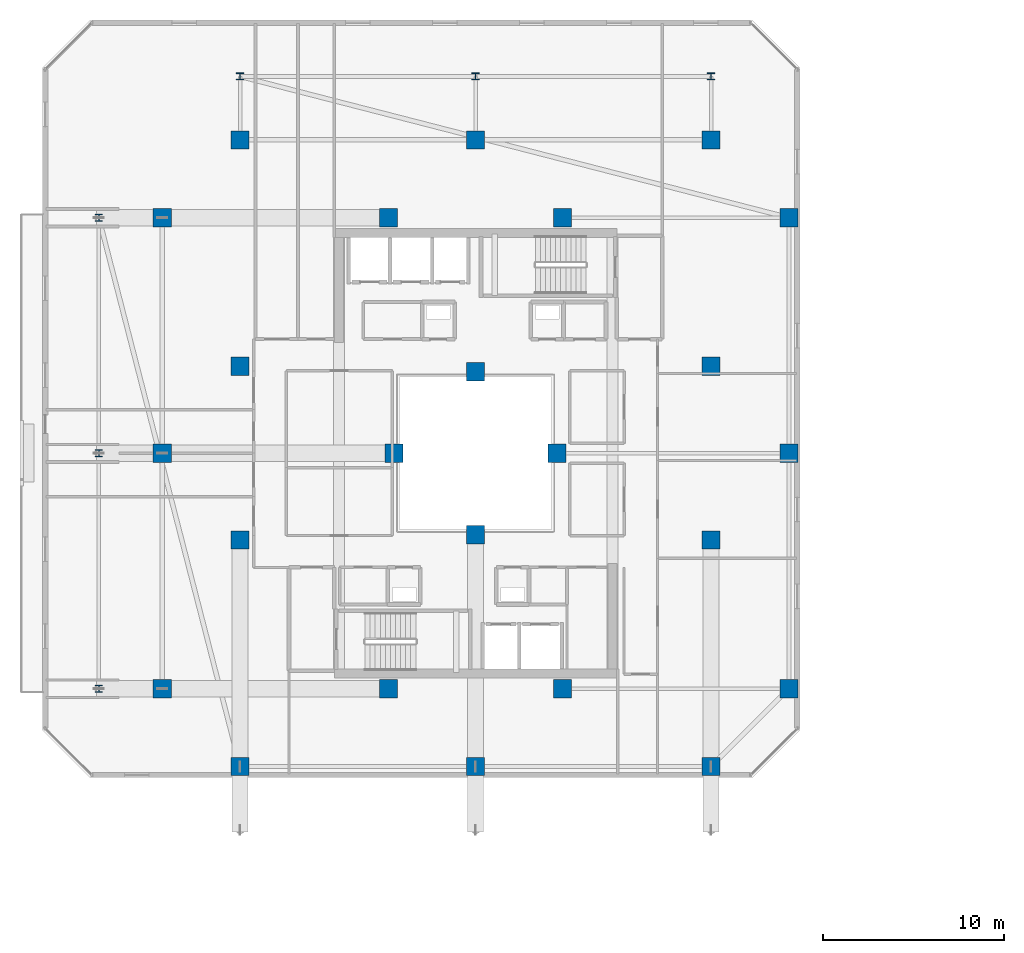
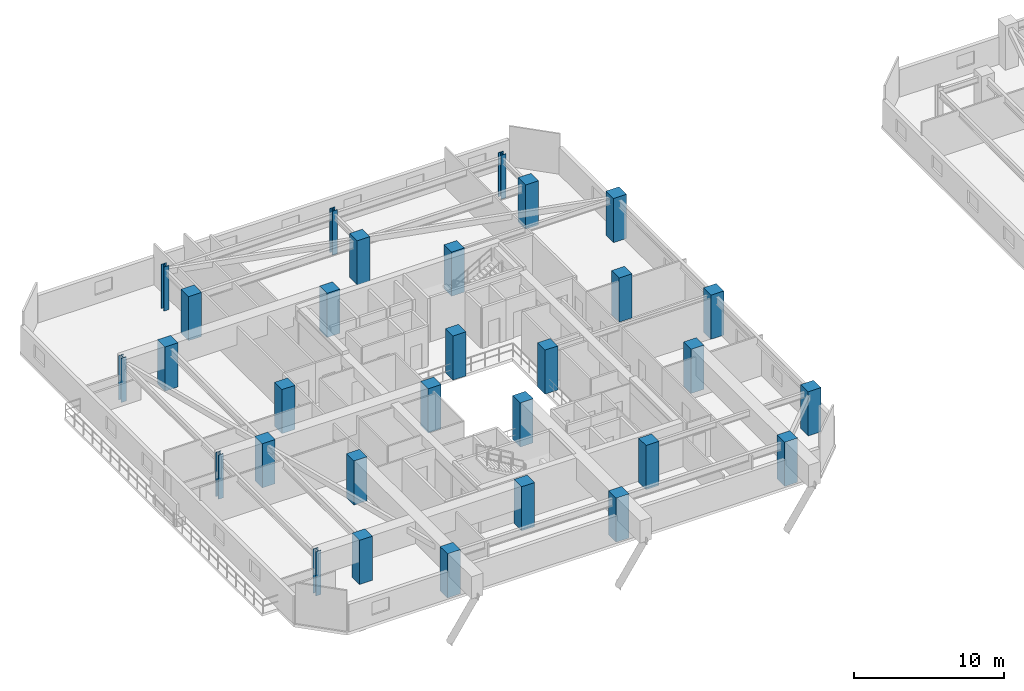
# One storey, part 1 of 35: 30 columns.
"""IFC4 building model written with IfcOpenShell, lengths in metres."""

from ifc_helpers import new_model, si_unit, direction, frame, origin, origin_2d, place, context, subcontext, project, spatial, rectangle, i_section, extrude, material, material_profile, profile_set, type_object, element, save


model = new_model("IFC4")

# Units and contexts
model_context = context("Model", 3, precision=1e-05, world=origin(), true_north=direction((0.0, 1.0)))
body_context = subcontext(model_context, "Body", "Model", "MODEL_VIEW")
ifc_project = project(units=[si_unit("LENGTHUNIT", "METRE"), si_unit("AREAUNIT", "SQUARE_METRE"), si_unit("VOLUMEUNIT", "CUBIC_METRE"), si_unit("PLANEANGLEUNIT", "RADIAN"), si_unit("MASSUNIT", "GRAM", prefix="KILO")], contexts=[model_context])

# Site, building, storey
site_placement = place(None, origin())
site = spatial("IfcSite", under=ifc_project, at=site_placement, CompositionType="ELEMENT")
building_placement = place(site_placement, origin())
building = spatial("IfcBuilding", under=site, at=building_placement, Name="Thornwick Lancets Civic Towers", CompositionType="ELEMENT")
storey_placement = place(building_placement, frame((0.0, 0.0, 225.89990234375)))
storey = spatial("IfcBuildingStorey", under=building, at=storey_placement, Name="L60", CompositionType="ELEMENT", Elevation=225.89990234375)

# Columns
ifc_material_1 = material(Name="Concrete C50/60", Category="concrete")
ifc_material_profile_1 = material_profile(ifc_material_1, rectangle(XDim=1.0, YDim=1.0, at=origin_2d()), Name="RC 1000x1000")
ifc_profile_set_1 = profile_set([ifc_material_profile_1], Name="Concrete C50/60")
column_type_1 = type_object("IfcColumnType", Name="COL_RC_1000", PredefinedType="COLUMN", material=ifc_profile_set_1)
for number, where, z_axis, x_axis, name in (
    (1, (12.5, 9.699951171875, 0.0), (0.0, 0.0, 1.0), (1.0, 0.0, 0.0), "L60 Spine Mega-Column A01"),
    (2, (25.5, 9.699951171875, 0.0), (0.0, 0.0, 1.0), (1.0, 0.0, 0.0), "L60 Spine Mega-Column A02"),
    (3, (38.5, 9.699951171875, 0.0), (0.0, 0.0, 1.0), (1.0, 0.0, 0.0), "L60 Spine Mega-Column A03"),
    (4, (42.800048828125, 14.0, 0.0), (0.0, 0.0, 1.0), (1.0, 0.0, 0.0), "L60 Spine Mega-Column A04"),
    (5, (42.800048828125, 27.0, 0.0), (0.0, 0.0, 1.0), (1.0, 0.0, 0.0), "L60 Spine Mega-Column A05"),
    (6, (42.800048828125, 40.0, 0.0), (0.0, 0.0, 1.0), (1.0, 0.0, 0.0), "L60 Spine Mega-Column A06"),
    (7, (12.5, 44.300048828125, 0.0), (0.0, 0.0, 1.0), (1.0, 0.0, 0.0), "L60 Spine Mega-Column A07"),
    (8, (25.5, 44.300048828125, 0.0), (0.0, 0.0, 1.0), (1.0, 0.0, 0.0), "L60 Spine Mega-Column A08"),
    (9, (38.5, 44.300048828125, 0.0), (0.0, 0.0, 1.0), (1.0, 0.0, 0.0), "L60 Spine Mega-Column A09"),
    (10, (8.199951171875, 14.0, 0.0), (0.0, 0.0, 1.0), (1.0, 0.0, 0.0), "L60 Spine Mega-Column A10"),
    (11, (8.199951171875, 27.0, 0.0), (0.0, 0.0, 1.0), (1.0, 0.0, 0.0), "L60 Spine Mega-Column A11"),
    (12, (8.199951171875, 40.0, 0.0), (0.0, 0.0, 1.0), (1.0, 0.0, 0.0), "L60 Spine Mega-Column A12"),
    (13, (12.5, 22.199951171875, 0.0), (0.0, 0.0, 1.0), (1.0, 0.0, 0.0), "L60 Spine Mega-Column A13"),
    (14, (38.5, 22.199951171875, 0.0), (0.0, 0.0, 1.0), (1.0, 0.0, 0.0), "L60 Spine Mega-Column A14"),
    (15, (12.5, 31.800048828125, 0.0), (0.0, 0.0, 1.0), (1.0, 0.0, 0.0), "L60 Spine Mega-Column A15"),
    (16, (38.5, 31.800048828125, 0.0), (0.0, 0.0, 1.0), (1.0, 0.0, 0.0), "L60 Spine Mega-Column A16"),
    (17, (20.699951171875, 14.0, 0.0), (0.0, 0.0, 1.0), (1.0, 0.0, 0.0), "L60 Spine Mega-Column A17"),
    (18, (30.300048828125, 14.0, 0.0), (0.0, 0.0, 1.0), (1.0, 0.0, 0.0), "L60 Spine Mega-Column A18"),
    (19, (20.699951171875, 40.0, 0.0), (0.0, 0.0, 1.0), (1.0, 0.0, 0.0), "L60 Spine Mega-Column A19"),
    (20, (30.300048828125, 40.0, 0.0), (0.0, 0.0, 1.0), (1.0, 0.0, 0.0), "L60 Spine Mega-Column A20"),
    (21, (25.5, 22.5, 0.0), (0.0, 0.0, 1.0), (1.0, 0.0, 0.0), "L60 Spine Mega-Column A21"),
    (22, (25.5, 31.5, 0.0), (0.0, 0.0, 1.0), (1.0, 0.0, 0.0), "L60 Spine Mega-Column A22"),
    (23, (21.0, 27.0, 0.0), (0.0, 0.0, 1.0), (1.0, 0.0, 0.0), "L60 Spine Mega-Column A23"),
    (24, (30.0, 27.0, 0.0), (0.0, 0.0, 1.0), (1.0, 0.0, 0.0), "L60 Spine Mega-Column A24"),
):
    element("IfcColumn", number, at=place(storey_placement, frame(where, z_axis=z_axis, x_axis=x_axis)), inside=storey, type_object=column_type_1, Name=name, PredefinedType="COLUMN", context=body_context, shape_type="SweptSolid", body=[
        extrude(rectangle(XDim=1.0, YDim=1.0, at=origin_2d()), origin(), (0.0, 0.0, 1.0), 3.60009765625),
    ])
ifc_material_2 = material(Name="Steel S355JR", Category="steel")
ifc_material_profile_2 = material_profile(ifc_material_2, i_section(OverallWidth=0.39892578125, OverallDepth=0.3935546875, WebThickness=0.022705078125, FlangeThickness=0.03662109375, FilletRadius=0.01513671875, at=origin_2d()), Name="UKC 356x406x287")
ifc_profile_set_2 = profile_set([ifc_material_profile_2], Name="Steel S355JR")
column_type_2 = type_object("IfcColumnType", Name="COL_UKC_287", PredefinedType="COLUMN", material=ifc_profile_set_2)
for number, where, z_axis, x_axis, name in (
    (25, (12.5, 47.800048828125, 0.0), (0.0, 0.0, 1.0), (1.0, 0.0, 0.0), "L60 Block Perimeter Column A07"),
    (26, (25.5, 47.800048828125, 0.0), (0.0, 0.0, 1.0), (1.0, 0.0, 0.0), "L60 Block Perimeter Column A08"),
    (27, (38.5, 47.800048828125, 0.0), (0.0, 0.0, 1.0), (1.0, 0.0, 0.0), "L60 Block Perimeter Column A09"),
    (28, (4.699951171875, 14.0, 0.0), (0.0, 0.0, 1.0), (1.0, 0.0, 0.0), "L60 Block Perimeter Column A10"),
    (29, (4.699951171875, 27.0, 0.0), (0.0, 0.0, 1.0), (1.0, 0.0, 0.0), "L60 Block Perimeter Column A11"),
    (30, (4.699951171875, 40.0, 0.0), (0.0, 0.0, 1.0), (1.0, 0.0, 0.0), "L60 Block Perimeter Column A12"),
):
    element("IfcColumn", number, at=place(storey_placement, frame(where, z_axis=z_axis, x_axis=x_axis)), inside=storey, type_object=column_type_2, Name=name, PredefinedType="COLUMN", context=body_context, shape_type="SweptSolid", body=[
        extrude(i_section(OverallWidth=0.39892578125, OverallDepth=0.3935546875, WebThickness=0.022705078125, FlangeThickness=0.03662109375, FilletRadius=0.01513671875, at=origin_2d()), origin(), (0.0, 0.0, 1.0), 3.60009765625),
    ])

save(model, "model.ifc")
